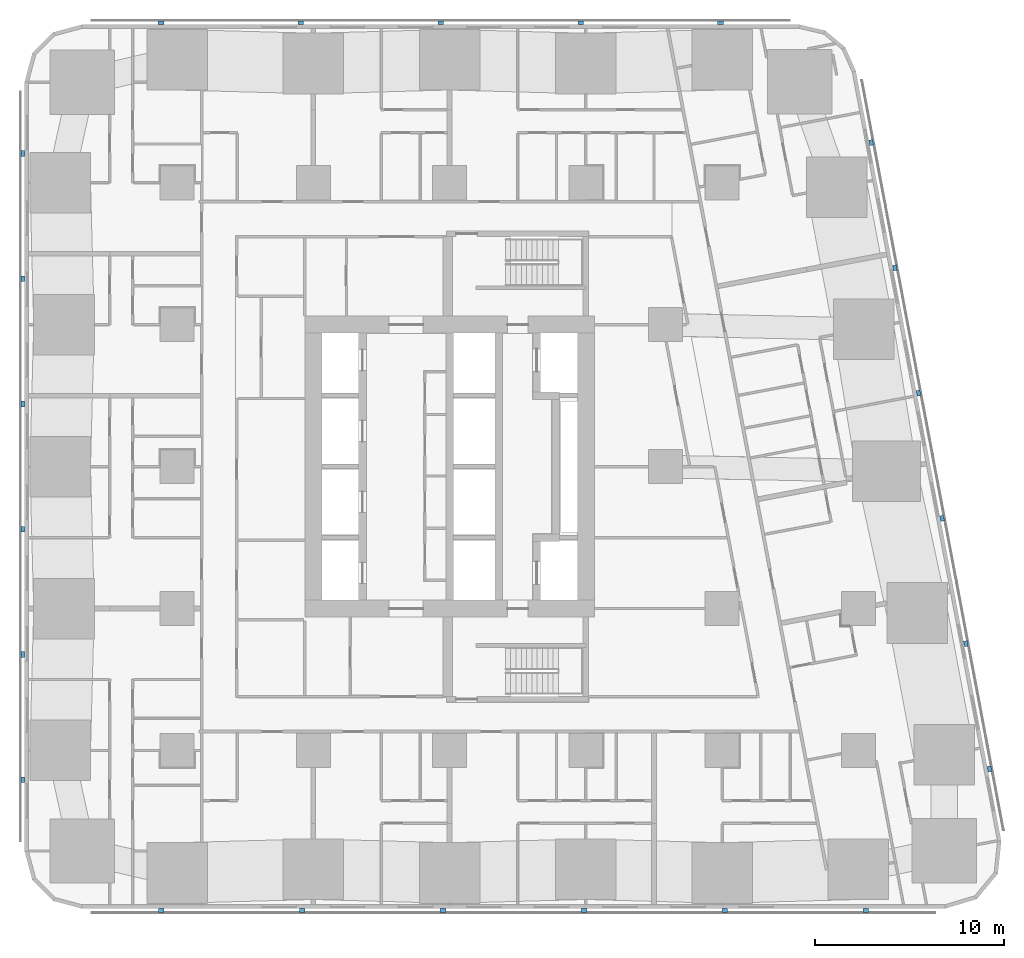
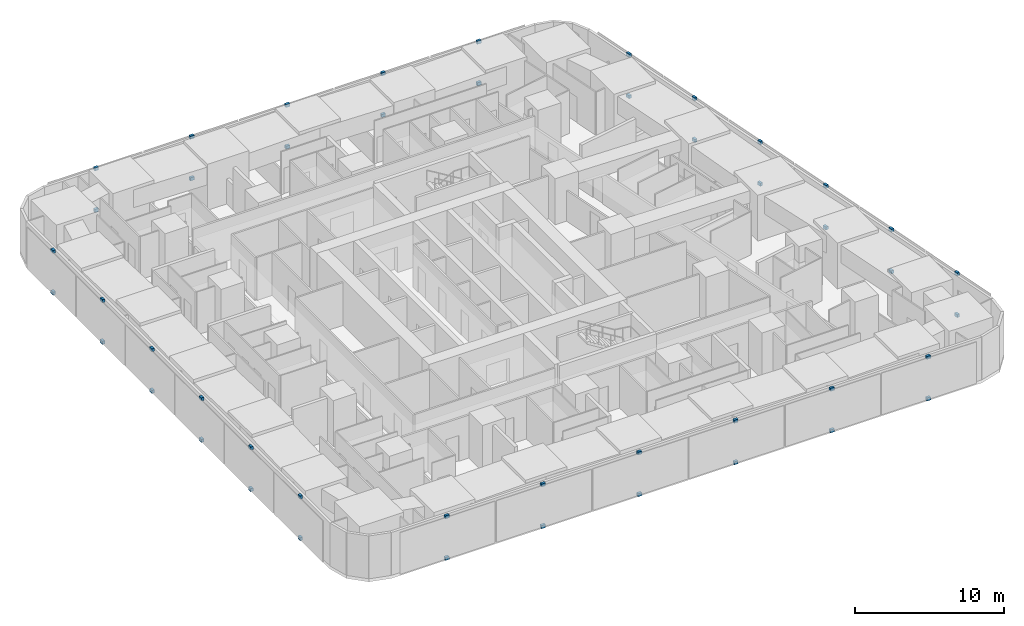
# One storey, part 14 of 17: 46 discrete accessories.
"""IFC4 building model written with IfcOpenShell, lengths in metres."""

from ifc_helpers import new_model, si_unit, direction, frame, origin, origin_2d, place, context, subcontext, project, spatial, rectangle, extrude, material, type_object, element, save


model = new_model("IFC4")

# Units and contexts
model_context = context("Model", 3, precision=1e-05, world=origin(), true_north=direction((0.0, 1.0)))
body_context = subcontext(model_context, "Body", "Model", "MODEL_VIEW")
ifc_project = project(units=[si_unit("LENGTHUNIT", "METRE"), si_unit("AREAUNIT", "SQUARE_METRE"), si_unit("VOLUMEUNIT", "CUBIC_METRE"), si_unit("PLANEANGLEUNIT", "RADIAN"), si_unit("MASSUNIT", "GRAM", prefix="KILO")], contexts=[model_context])

# Site, building, storey
site_placement = place(None, origin())
site = spatial("IfcSite", under=ifc_project, at=site_placement, CompositionType="ELEMENT")
building_placement = place(site_placement, origin())
building = spatial("IfcBuilding", under=site, at=building_placement, Name="Sheger Commons Tower", CompositionType="ELEMENT")
storey_placement = place(building_placement, frame((0.0, 0.0, 27.5)))
storey = spatial("IfcBuildingStorey", under=building, at=storey_placement, Name="L06", CompositionType="ELEMENT", Elevation=27.5)

# Discrete accessories
ifc_material = material(Name="Black painted steel bracket", Category="steel")
discrete_accessory_type = type_object("IfcDiscreteAccessoryType", Name="SCREEN BRACKET 300x200x250", PredefinedType="BRACKET", material=ifc_material)
for number, where, z_axis, x_axis, name in (
    (1, (6.37109375, -0.949951171875, -0.10009765625), (0.0, 0.0, 1.0), (1.0, 0.0, 0.0), "Solar screen foot bracket"),
    (2, (6.37109375, -0.949951171875, 3.300048828125), (0.0, 0.0, 1.0), (1.0, 0.0, 0.0), "Solar screen head bracket"),
    (3, (13.81396484375, -0.949951171875, -0.10009765625), (0.0, 0.0, 1.0), (1.0, 0.0, 0.0), "Solar screen foot bracket"),
    (4, (13.81396484375, -0.949951171875, 3.300048828125), (0.0, 0.0, 1.0), (1.0, 0.0, 0.0), "Solar screen head bracket"),
    (5, (21.257080078125, -0.949951171875, -0.10009765625), (0.0, 0.0, 1.0), (1.0, 0.0, 0.0), "Solar screen foot bracket"),
    (6, (21.257080078125, -0.949951171875, 3.300048828125), (0.0, 0.0, 1.0), (1.0, 0.0, 0.0), "Solar screen head bracket"),
    (7, (28.698974609375, -0.949951171875, -0.10009765625), (0.0, 0.0, 1.0), (1.0, 0.0, 0.0), "Solar screen foot bracket"),
    (8, (28.698974609375, -0.949951171875, 3.300048828125), (0.0, 0.0, 1.0), (1.0, 0.0, 0.0), "Solar screen head bracket"),
    (9, (36.14208984375, -0.949951171875, -0.10009765625), (0.0, 0.0, 1.0), (1.0, 0.0, 0.0), "Solar screen foot bracket"),
    (10, (36.14208984375, -0.949951171875, 3.300048828125), (0.0, 0.0, 1.0), (1.0, 0.0, 0.0), "Solar screen head bracket"),
    (11, (43.5849609375, -0.949951171875, -0.10009765625), (0.0, 0.0, 1.0), (1.0, 0.0, 0.0), "Solar screen foot bracket"),
    (12, (43.5849609375, -0.949951171875, 3.300048828125), (0.0, 0.0, 1.0), (1.0, 0.0, 0.0), "Solar screen head bracket"),
    (13, (50.134033203125, 6.527099609375, -0.10009765625), (0.0, 0.0, 1.0), (-0.185615165645, 0.982622516678, 0.0), "Solar screen foot bracket"),
    (14, (50.134033203125, 6.527099609375, 3.300048828125), (0.0, 0.0, 1.0), (-0.185615165645, 0.982622516678, 0.0), "Solar screen head bracket"),
    (15, (48.884033203125, 13.14599609375, -0.10009765625), (0.0, 0.0, 1.0), (-0.185615165645, 0.982622516678, 0.0), "Solar screen foot bracket"),
    (16, (48.884033203125, 13.14599609375, 3.300048828125), (0.0, 0.0, 1.0), (-0.185615165645, 0.982622516678, 0.0), "Solar screen head bracket"),
    (17, (47.633056640625, 19.76611328125, -0.10009765625), (0.0, 0.0, 1.0), (-0.185615165645, 0.982622516678, 0.0), "Solar screen foot bracket"),
    (18, (47.633056640625, 19.76611328125, 3.300048828125), (0.0, 0.0, 1.0), (-0.185615165645, 0.982622516678, 0.0), "Solar screen head bracket"),
    (19, (46.383056640625, 26.385009765625, -0.10009765625), (0.0, 0.0, 1.0), (-0.185615165645, 0.982622516678, 0.0), "Solar screen foot bracket"),
    (20, (46.383056640625, 26.385009765625, 3.300048828125), (0.0, 0.0, 1.0), (-0.185615165645, 0.982622516678, 0.0), "Solar screen head bracket"),
    (21, (45.133056640625, 33.0048828125, -0.10009765625), (0.0, 0.0, 1.0), (-0.185615165645, 0.982622516678, 0.0), "Solar screen foot bracket"),
    (22, (45.133056640625, 33.0048828125, 3.300048828125), (0.0, 0.0, 1.0), (-0.185615165645, 0.982622516678, 0.0), "Solar screen head bracket"),
    (23, (43.882080078125, 39.6240234375, -0.10009765625), (0.0, 0.0, 1.0), (-0.185615165645, 0.982622516678, 0.0), "Solar screen foot bracket"),
    (24, (43.882080078125, 39.6240234375, 3.300048828125), (0.0, 0.0, 1.0), (-0.185615165645, 0.982622516678, 0.0), "Solar screen head bracket"),
    (25, (35.9208984375, 45.949951171875, -0.10009765625), (0.0, 0.0, 1.0), (-1.0, 0.0, 0.0), "Solar screen foot bracket"),
    (26, (35.9208984375, 45.949951171875, 3.300048828125), (0.0, 0.0, 1.0), (-1.0, 0.0, 0.0), "Solar screen head bracket"),
    (27, (28.528076171875, 45.949951171875, -0.10009765625), (0.0, 0.0, 1.0), (-1.0, 0.0, 0.0), "Solar screen foot bracket"),
    (28, (28.528076171875, 45.949951171875, 3.300048828125), (0.0, 0.0, 1.0), (-1.0, 0.0, 0.0), "Solar screen head bracket"),
    (29, (21.134033203125, 45.949951171875, -0.10009765625), (0.0, 0.0, 1.0), (-1.0, 0.0, 0.0), "Solar screen foot bracket"),
    (30, (21.134033203125, 45.949951171875, 3.300048828125), (0.0, 0.0, 1.0), (-1.0, 0.0, 0.0), "Solar screen head bracket"),
    (31, (13.739990234375, 45.949951171875, -0.10009765625), (0.0, 0.0, 1.0), (-1.0, 0.0, 0.0), "Solar screen foot bracket"),
    (32, (13.739990234375, 45.949951171875, 3.300048828125), (0.0, 0.0, 1.0), (-1.0, 0.0, 0.0), "Solar screen head bracket"),
    (33, (6.346923828125, 45.949951171875, -0.10009765625), (0.0, 0.0, 1.0), (-1.0, 0.0, 0.0), "Solar screen foot bracket"),
    (34, (6.346923828125, 45.949951171875, 3.300048828125), (0.0, 0.0, 1.0), (-1.0, 0.0, 0.0), "Solar screen head bracket"),
    (35, (-0.949951171875, 39.0419921875, -0.10009765625), (0.0, 0.0, 1.0), (0.0, -1.0, 0.0), "Solar screen foot bracket"),
    (36, (-0.949951171875, 39.0419921875, 3.300048828125), (0.0, 0.0, 1.0), (0.0, -1.0, 0.0), "Solar screen head bracket"),
    (37, (-0.949951171875, 32.425048828125, -0.10009765625), (0.0, 0.0, 1.0), (0.0, -1.0, 0.0), "Solar screen foot bracket"),
    (38, (-0.949951171875, 32.425048828125, 3.300048828125), (0.0, 0.0, 1.0), (0.0, -1.0, 0.0), "Solar screen head bracket"),
    (39, (-0.949951171875, 25.80810546875, -0.10009765625), (0.0, 0.0, 1.0), (0.0, -1.0, 0.0), "Solar screen foot bracket"),
    (40, (-0.949951171875, 25.80810546875, 3.300048828125), (0.0, 0.0, 1.0), (0.0, -1.0, 0.0), "Solar screen head bracket"),
    (41, (-0.949951171875, 19.19189453125, -0.10009765625), (0.0, 0.0, 1.0), (0.0, -1.0, 0.0), "Solar screen foot bracket"),
    (42, (-0.949951171875, 19.19189453125, 3.300048828125), (0.0, 0.0, 1.0), (0.0, -1.0, 0.0), "Solar screen head bracket"),
    (43, (-0.949951171875, 12.574951171875, -0.10009765625), (0.0, 0.0, 1.0), (0.0, -1.0, 0.0), "Solar screen foot bracket"),
    (44, (-0.949951171875, 12.574951171875, 3.300048828125), (0.0, 0.0, 1.0), (0.0, -1.0, 0.0), "Solar screen head bracket"),
    (45, (-0.949951171875, 5.9580078125, -0.10009765625), (0.0, 0.0, 1.0), (0.0, -1.0, 0.0), "Solar screen foot bracket"),
    (46, (-0.949951171875, 5.9580078125, 3.300048828125), (0.0, 0.0, 1.0), (0.0, -1.0, 0.0), "Solar screen head bracket"),
):
    element("IfcDiscreteAccessory", number, at=place(storey_placement, frame(where, z_axis=z_axis, x_axis=x_axis)), inside=storey, type_object=discrete_accessory_type, Name=name, PredefinedType="BRACKET", context=body_context, shape_type="SweptSolid", body=[
        extrude(rectangle(XDim=0.300048828125, YDim=0.199951171875, at=origin_2d()), origin(), (0.0, 0.0, 1.0), 0.25),
    ])

save(model, "model.ifc")
